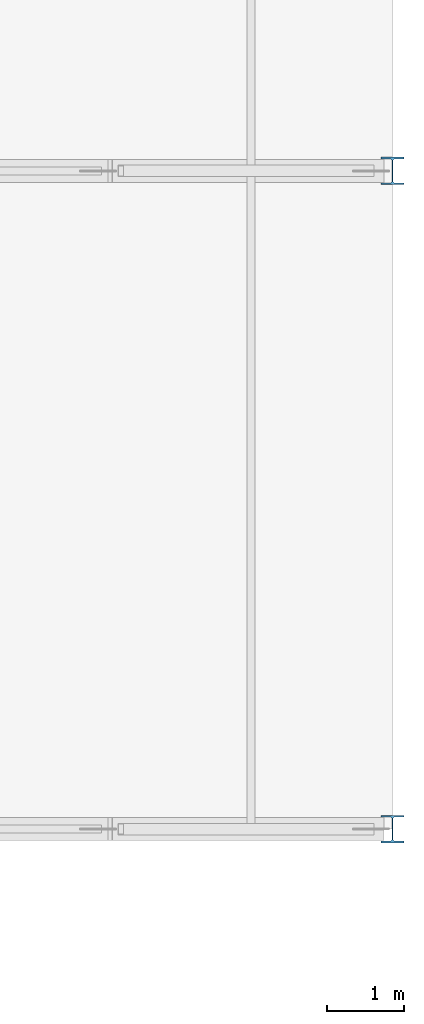
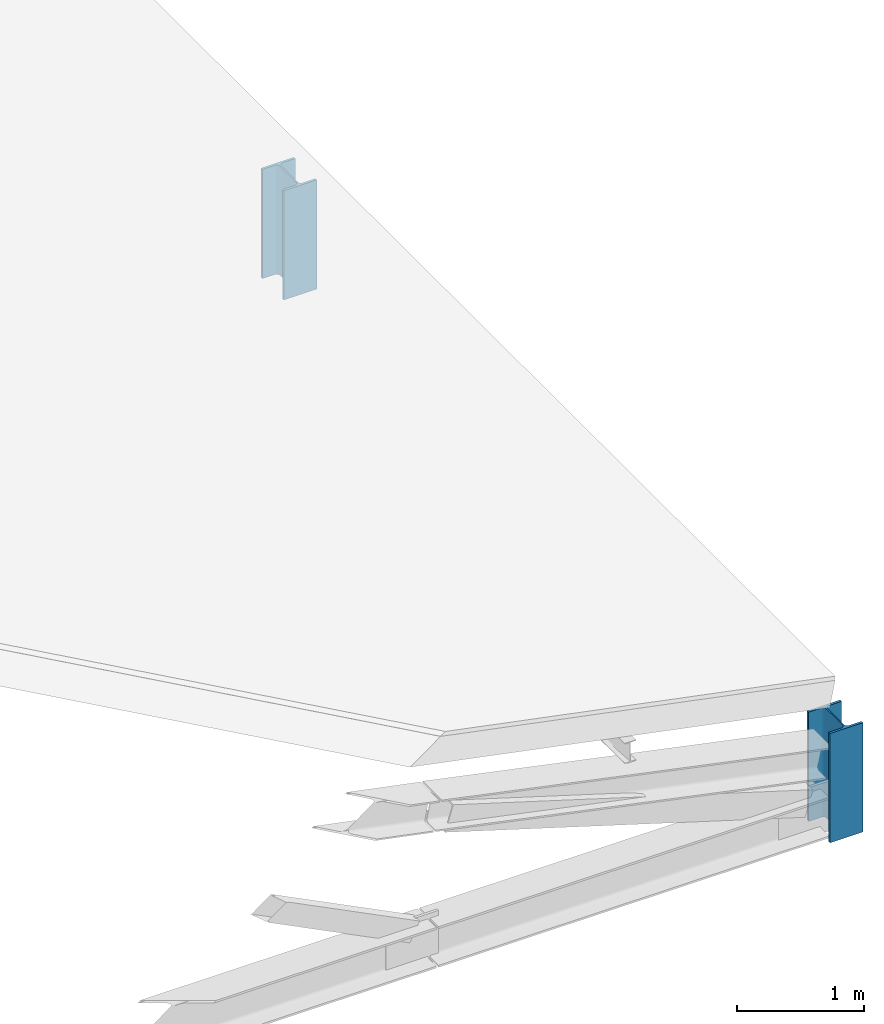
# One storey, part 3 of 47: 2 columns.
"""IFC4 building model written with IfcOpenShell, lengths in metres."""

from ifc_helpers import new_model, si_unit, direction, frame, origin, origin_2d, place, context, subcontext, project, spatial, i_section, extrude, material, material_profile, profile_set, type_object, element, save


model = new_model("IFC4")

# Units and contexts
model_context = context("Model", 3, precision=1e-05, world=origin(), true_north=direction((0.0, 1.0)))
body_context = subcontext(model_context, "Body", "Model", "MODEL_VIEW")
ifc_project = project(units=[si_unit("LENGTHUNIT", "METRE"), si_unit("AREAUNIT", "SQUARE_METRE"), si_unit("VOLUMEUNIT", "CUBIC_METRE"), si_unit("PLANEANGLEUNIT", "RADIAN"), si_unit("MASSUNIT", "GRAM", prefix="KILO")], contexts=[model_context])

# Site, building, storey
site_placement = place(None, origin())
site = spatial("IfcSite", under=ifc_project, at=site_placement, CompositionType="ELEMENT")
building_placement = place(site_placement, origin())
building = spatial("IfcBuilding", under=site, at=building_placement, Name="Muzn Square Opera House", CompositionType="ELEMENT")
storey_placement = place(building_placement, frame((0.0, 0.0, 31.0)))
storey = spatial("IfcBuildingStorey", under=building, at=storey_placement, Name="RF-1", CompositionType="ELEMENT", Elevation=31.0)

# Columns
ifc_material = material(Name="Steel S355", Category="steel")
ifc_material_profile = material_profile(ifc_material, i_section(OverallWidth=0.300048828125, OverallDepth=0.360107421875, WebThickness=0.012451171875, FlangeThickness=0.0224609375, FilletRadius=0.027099609375, at=origin_2d()), Name="HEB 360", Category="steel")
ifc_profile_set = profile_set([ifc_material_profile], Name="Steel S355")
column_type = type_object("IfcColumnType", Name="Steel Gallery Column HEB360", PredefinedType="COLUMN", material=ifc_profile_set)
for number, where, z_axis, x_axis, name in (
    (1, (170.0, 72.60009765625, -7.60009765625), (0.0, 0.0, 1.0), (1.0, 0.0, 0.0), "Rehearsal Roof Truss Eave Pedestal T1-E"),
    (2, (170.0, 81.199951171875, -7.60009765625), (0.0, 0.0, 1.0), (1.0, 0.0, 0.0), "Rehearsal Roof Truss Eave Pedestal T2-E"),
):
    element("IfcColumn", number, at=place(storey_placement, frame(where, z_axis=z_axis, x_axis=x_axis)), inside=storey, type_object=column_type, Name=name, PredefinedType="COLUMN", context=body_context, shape_type="SweptSolid", body=[
        extrude(i_section(OverallWidth=0.300048828125, OverallDepth=0.360107421875, WebThickness=0.012451171875, FlangeThickness=0.0224609375, FilletRadius=0.027099609375, at=origin_2d()), origin(), (0.0, 0.0, 1.0), 1.050048828125),
    ])

save(model, "model.ifc")
